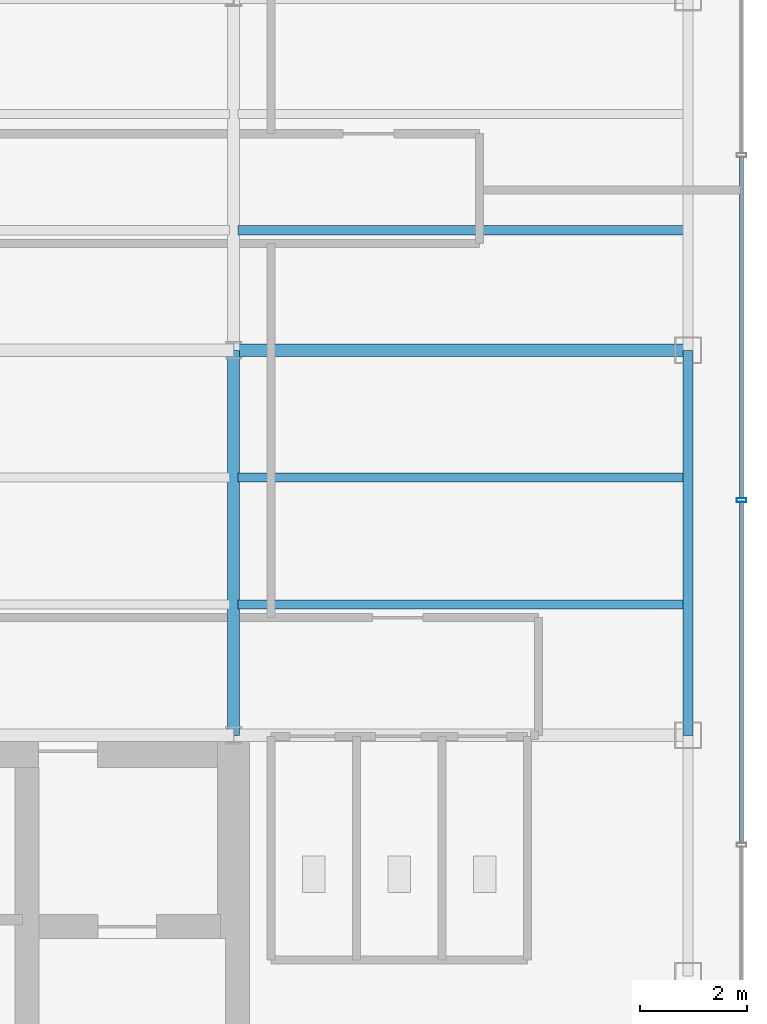
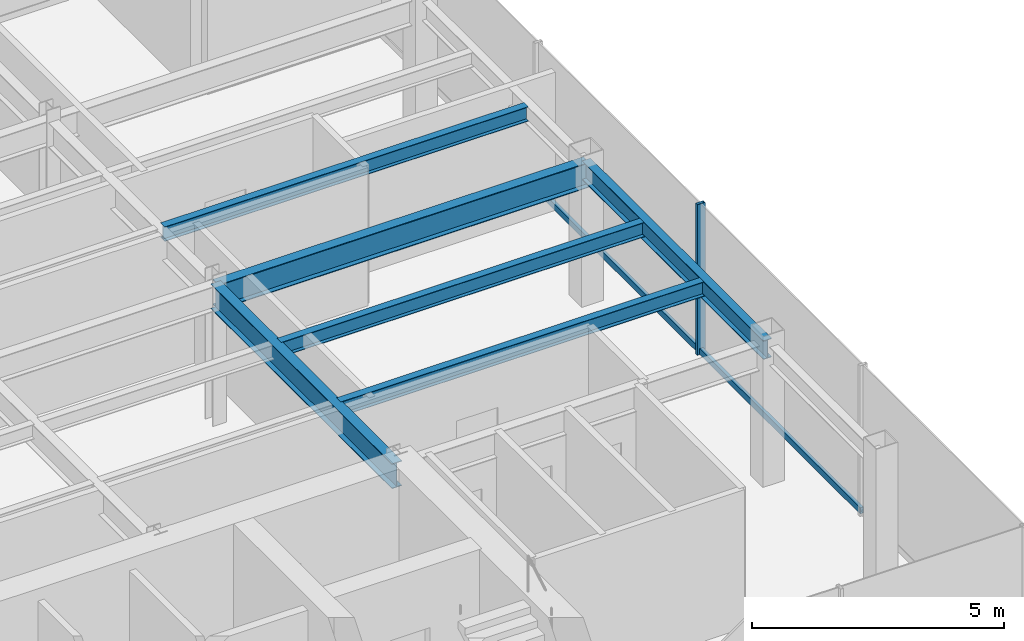
# One storey, part 10 of 22: 6 beams, 3 members, 1 element without a shape of its own.
"""IFC4 building model written with IfcOpenShell, lengths in metres."""

from ifc_helpers import new_model, si_unit, derived_unit, direction, frame, origin, origin_2d, place, context, subcontext, project, spatial, hollow_rectangle, i_section, extrude, source, transform, mapped, material, material_profile, profile_set, type_object, element, aggregate, save


model = new_model("IFC4")

# Units and contexts
model_context = context("Model", 3, precision=1e-05, world=origin(), true_north=direction((0.0, 1.0)))
body_context = subcontext(model_context, "Body", "Model", "MODEL_VIEW")
ifc_project = project(units=[si_unit("LENGTHUNIT", "METRE"), si_unit("AREAUNIT", "SQUARE_METRE"), si_unit("VOLUMEUNIT", "CUBIC_METRE"), si_unit("PLANEANGLEUNIT", "RADIAN"), si_unit("MASSUNIT", "GRAM", prefix="KILO"), derived_unit("THERMALTRANSMITTANCEUNIT", [(si_unit("POWERUNIT", "WATT"), 1), (si_unit("LENGTHUNIT", "METRE"), -2), (si_unit("THERMODYNAMICTEMPERATUREUNIT", "KELVIN"), -1)])], contexts=[model_context])

# Site, building, storey
site_placement = place(None, origin())
site = spatial("IfcSite", under=ifc_project, at=site_placement, CompositionType="ELEMENT")
building_placement = place(site_placement, origin())
building = spatial("IfcBuilding", under=site, at=building_placement, Name="Skarnbrae Concourse Arena and Tower", CompositionType="ELEMENT")
storey_placement = place(building_placement, frame((0.0, 0.0, 232.39990234375)))
storey = spatial("IfcBuildingStorey", under=building, at=storey_placement, Name="L60", CompositionType="ELEMENT", Elevation=232.39990234375)

# Beams
ifc_material_1 = material(Name="Steel CSA G40.21 350W", Category="steel")
ifc_material_profile_1 = material_profile(ifc_material_1, i_section(OverallWidth=0.22802734375, OverallDepth=0.60791015625, WebThickness=0.01123046875, FlangeThickness=0.017333984375, at=origin_2d()), Name="W610X113")
ifc_profile_set_1 = profile_set([ifc_material_profile_1], Name="Steel CSA G40.21 350W")
beam_type_1 = type_object("IfcBeamType", Name="BM-GIRD-W610X113", PredefinedType="BEAM", material=ifc_profile_set_1)
shared_shape_1 = source(origin(), body_context, "Body", "SweptSolid", [
    extrude(i_section(OverallWidth=0.22802734375, OverallDepth=0.60791015625, WebThickness=0.01123046875, FlangeThickness=0.017333984375, at=origin_2d()), origin(), (0.0, 0.0, 1.0), 8.5),
])
beam_1_placement = place(storey_placement, frame((33.5, 21.199951171875, 3.046142578125), z_axis=(1.0, 0.0, 0.0), x_axis=(0.0, 1.0, 0.0)))
element("IfcBeam", 1, at=beam_1_placement, inside=storey, type_object=beam_type_1, Name="L60 Primary E-W girder Y21.2-6", PredefinedType="BEAM", context=body_context, shape_type="MappedRepresentation", body=[
    mapped(shared_shape_1, transform((0.0, 0.0, 0.0))),
])
ifc_material_profile_2 = material_profile(ifc_material_1, i_section(OverallWidth=0.19091796875, OverallDepth=0.4599609375, WebThickness=0.010009765625, FlangeThickness=0.01611328125, at=origin_2d()), Name="W460X82")
ifc_profile_set_2 = profile_set([ifc_material_profile_2], Name="Steel CSA G40.21 350W")
beam_type_2 = type_object("IfcBeamType", Name="BM-SPAN-W460X82", PredefinedType="SPANDREL", material=ifc_profile_set_2)
shared_shape_2 = source(origin(), body_context, "Body", "SweptSolid", [
    extrude(i_section(OverallWidth=0.19091796875, OverallDepth=0.4599609375, WebThickness=0.010009765625, FlangeThickness=0.01611328125, at=origin_2d()), origin(), (0.0, 0.0, 1.0), 7.199951171875),
])
beam_2_placement = place(storey_placement, frame((42.0, 14.0, 3.1201171875), z_axis=(0.0, 1.0, 0.0), x_axis=(-1.0, 0.0, 0.0)))
element("IfcBeam", 2, at=beam_2_placement, inside=storey, type_object=beam_type_2, Name="L60 Perimeter spandrel X42.0-2", PredefinedType="SPANDREL", context=body_context, shape_type="MappedRepresentation", body=[
    mapped(shared_shape_2, transform((0.0, 0.0, 0.0))),
])
shared_shape_3 = source(origin(), body_context, "Body", "SweptSolid", [
    extrude(i_section(OverallWidth=0.22802734375, OverallDepth=0.60791015625, WebThickness=0.01123046875, FlangeThickness=0.017333984375, at=origin_2d()), origin(), (0.0, 0.0, 1.0), 7.199951171875),
])
beam_3_placement = place(storey_placement, frame((33.5, 14.0, 3.046142578125), z_axis=(0.0, 1.0, 0.0), x_axis=(-1.0, 0.0, 0.0)))
element("IfcBeam", 3, at=beam_3_placement, inside=storey, type_object=beam_type_1, Name="L60 Primary N-S girder X33.5-1", PredefinedType="BEAM", context=body_context, shape_type="MappedRepresentation", body=[
    mapped(shared_shape_3, transform((0.0, 0.0, 0.0))),
])
ifc_material_profile_3 = material_profile(ifc_material_1, i_section(OverallWidth=0.1708984375, OverallDepth=0.35498046875, WebThickness=0.007080078125, FlangeThickness=0.01171875, at=origin_2d()), Name="W360X51")
ifc_profile_set_3 = profile_set([ifc_material_profile_3], Name="Steel CSA G40.21 350W")
beam_type_3 = type_object("IfcBeamType", Name="BM-JOIST-W360X51", PredefinedType="JOIST", material=ifc_profile_set_3)
shared_shape_4 = source(origin(), body_context, "Body", "SweptSolid", [
    extrude(i_section(OverallWidth=0.1708984375, OverallDepth=0.35498046875, WebThickness=0.007080078125, FlangeThickness=0.01171875, at=origin_2d()), origin(), (0.0, 0.0, 1.0), 8.33984375),
])
for number, where, z_axis, x_axis, name in (
    (4, (33.580078125, 16.447998046875, 3.172607421875), (1.0, 0.0, 0.0), (0.0, 1.0, 0.0), "L60 Secondary floor joist 1.1.6"),
    (5, (33.580078125, 18.823974609375, 3.172607421875), (1.0, 0.0, 0.0), (0.0, 1.0, 0.0), "L60 Secondary floor joist 1.2.6"),
    (6, (33.580078125, 23.444091796875, 3.172607421875), (1.0, 0.0, 0.0), (0.0, 1.0, 0.0), "L60 Secondary floor joist 2.1.6"),
):
    element("IfcBeam", number, at=place(storey_placement, frame(where, z_axis=z_axis, x_axis=x_axis)), inside=storey, type_object=beam_type_3, Name=name, PredefinedType="JOIST", context=body_context, shape_type="MappedRepresentation", body=[
        mapped(shared_shape_4, transform((0.0, 0.0, 0.0))),
    ])

# Curtain wall, members
ifc_material_2 = material(Name="Bronze anodised aluminium 6063-T6", Category="aluminium")
curtain_wall_type = type_object("IfcCurtainWallType", Name="CW-SYS-05-HIGHZONE", PredefinedType="USERDEFINED", material=ifc_material_2)
curtain_wall_placement = place(storey_placement, origin())
curtain_wall = element("IfcCurtainWall", 7, at=curtain_wall_placement, inside=storey, type_object=curtain_wall_type, Name="L60 Unitised curtain wall CW-L60-E04", ObjectType="UNITISED CURTAIN WALL", PredefinedType="USERDEFINED")
ifc_material_profile_4 = material_profile(ifc_material_2, hollow_rectangle(XDim=0.074951171875, YDim=0.14990234375, WallThickness=0.00390625, at=origin_2d()), Name="ALU-TRAN-75X150")
ifc_profile_set_4 = profile_set([ifc_material_profile_4], Name="Bronze anodised aluminium 6063-T6")
member_type_1 = type_object("IfcMemberType", Name="CWT-CW-05", PredefinedType="USERDEFINED", material=ifc_profile_set_4)
shared_shape_5 = source(origin(), body_context, "Body", "SweptSolid", [
    extrude(hollow_rectangle(XDim=0.074951171875, YDim=0.14990234375, WallThickness=0.00390625, at=origin_2d()), origin(), (0.0, 0.0, 1.0), 6.375),
])
member_1_placement = place(storey_placement, frame((43.0, 11.987548828125, 0.0751953125), z_axis=(0.0, 1.0, 0.0), x_axis=(-1.0, 0.0, 0.0)))
member_1 = element("IfcMember", 8, at=member_1_placement, type_object=member_type_1, Name="CW-L60-E04 Transom 2", ObjectType="TRANSOM", PredefinedType="USERDEFINED", context=body_context, shape_type="MappedRepresentation", body=[
    mapped(shared_shape_5, transform((0.0, 0.0, 0.0))),
])
member_2_placement = place(storey_placement, frame((43.0, 18.4375, 0.0751953125), z_axis=(0.0, 1.0, 0.0), x_axis=(-1.0, 0.0, 0.0)))
member_2 = element("IfcMember", 9, at=member_2_placement, type_object=member_type_1, Name="CW-L60-E04 Transom 3", ObjectType="TRANSOM", PredefinedType="USERDEFINED", context=body_context, shape_type="MappedRepresentation", body=[
    mapped(shared_shape_5, transform((0.0, 0.0, 0.0))),
])
ifc_material_profile_5 = material_profile(ifc_material_2, hollow_rectangle(XDim=0.074951171875, YDim=0.179931640625, WallThickness=0.00390625, at=origin_2d()), Name="ALU-MULL-75X180")
ifc_profile_set_5 = profile_set([ifc_material_profile_5], Name="Bronze anodised aluminium 6063-T6")
member_type_2 = type_object("IfcMemberType", Name="CWM-CW-05", PredefinedType="MULLION", material=ifc_profile_set_5)
shared_shape_6 = source(origin(), body_context, "Body", "SweptSolid", [
    extrude(hollow_rectangle(XDim=0.074951171875, YDim=0.179931640625, WallThickness=0.00390625, at=origin_2d()), origin(), (0.0, 0.0, 1.0), 3.650146484375),
])
member_3_placement = place(storey_placement, frame((43.0, 18.39990234375, 0.0), z_axis=(0.0, 0.0, 1.0), x_axis=(0.0, 1.0, 0.0)))
member_3 = element("IfcMember", 10, at=member_3_placement, type_object=member_type_2, Name="CW-L60-E04 Mullion 3", PredefinedType="MULLION", context=body_context, shape_type="MappedRepresentation", body=[
    mapped(shared_shape_6, transform((0.0, 0.0, 0.0))),
])
aggregate(curtain_wall, [member_3, member_1, member_2])

save(model, "model.ifc")
